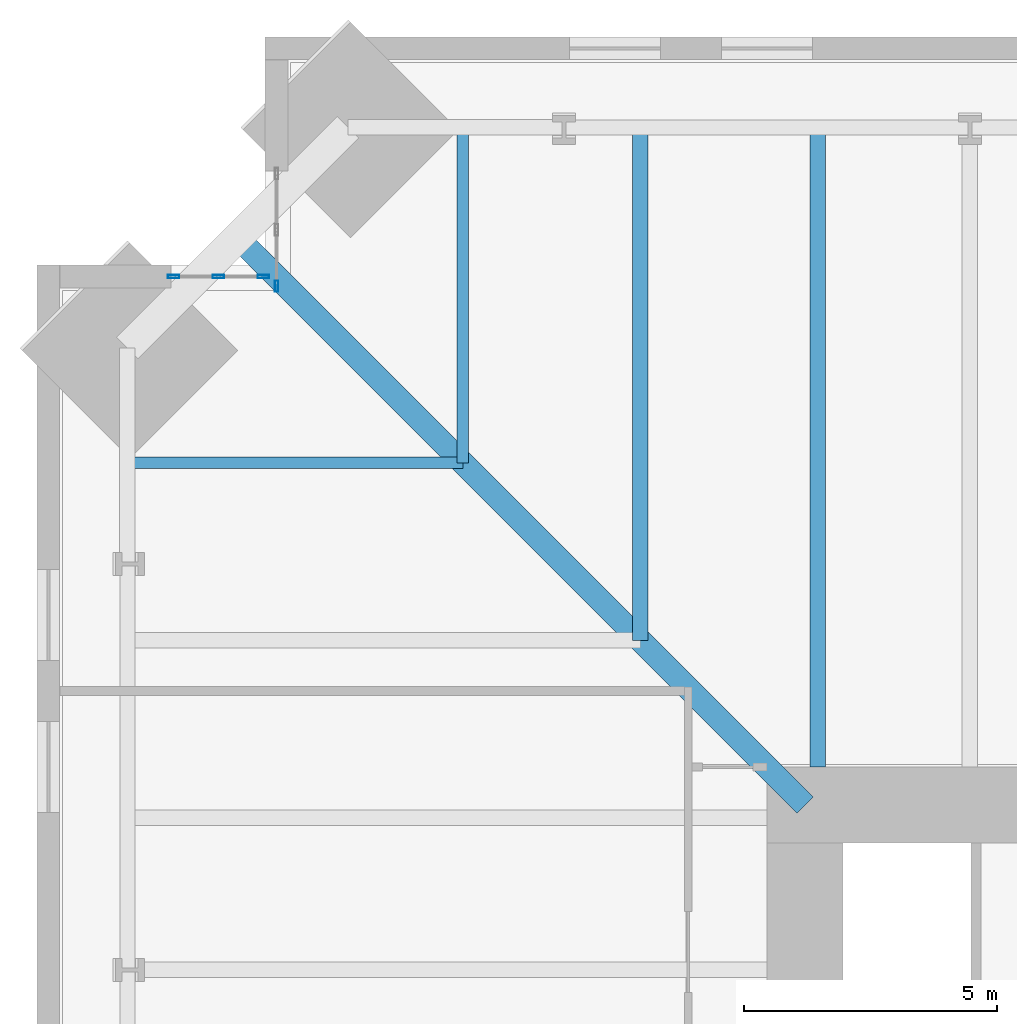
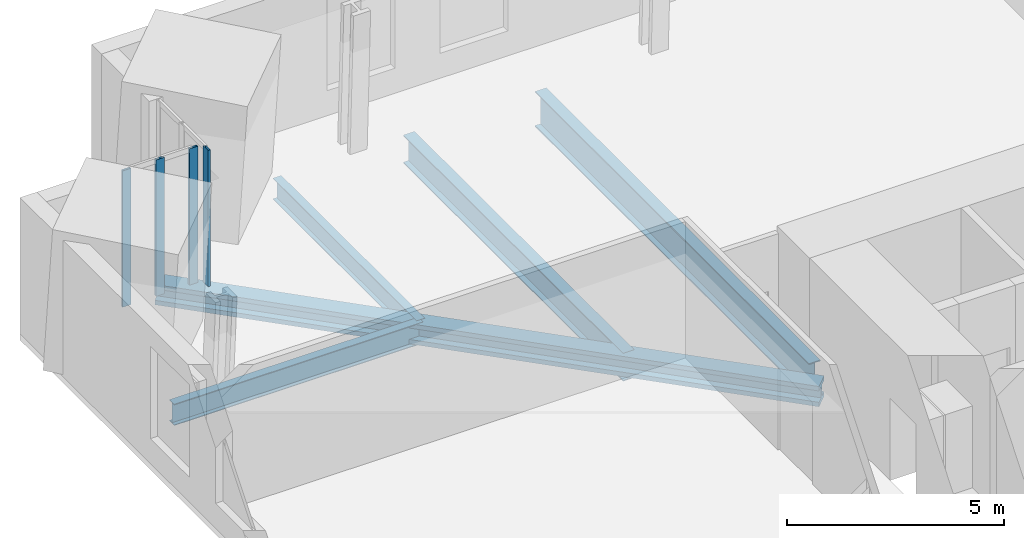
# One storey, part 6 of 18: 5 beams, 4 members, 2 elements without a shape of their own.
"""IFC4 building model written with IfcOpenShell, lengths in metres."""

from ifc_helpers import new_model, si_unit, direction, frame, origin, origin_2d, place, context, subcontext, project, spatial, hollow_rectangle, i_section, extrude, material, material_profile, profile_set, type_object, element, aggregate, save


model = new_model("IFC4")

# Units and contexts
model_context = context("Model", 3, precision=1e-05, world=origin(), true_north=direction((0.0, 1.0)))
body_context = subcontext(model_context, "Body", "Model", "MODEL_VIEW")
ifc_project = project(units=[si_unit("LENGTHUNIT", "METRE"), si_unit("AREAUNIT", "SQUARE_METRE"), si_unit("VOLUMEUNIT", "CUBIC_METRE"), si_unit("PLANEANGLEUNIT", "RADIAN"), si_unit("MASSUNIT", "GRAM", prefix="KILO")], contexts=[model_context])

# Site, building, storey
site_placement = place(None, origin())
site = spatial("IfcSite", under=ifc_project, at=site_placement, CompositionType="ELEMENT")
building_placement = place(site_placement, origin())
building = spatial("IfcBuilding", under=site, at=building_placement, Name="Peilmerk Tower", CompositionType="ELEMENT")
storey_placement = place(building_placement, frame((0.0, 0.0, 155.800048828125)))
storey = spatial("IfcBuildingStorey", under=building, at=storey_placement, Name="L32", CompositionType="ELEMENT", Elevation=155.800048828125)

# Beams
ifc_material_1 = material(Name="Steel S355", Category="steel")
ifc_material_profile_1 = material_profile(ifc_material_1, i_section(OverallWidth=0.219970703125, OverallDepth=0.60009765625, WebThickness=0.011962890625, FlangeThickness=0.01904296875, at=origin_2d()), Name="IPE 600")
ifc_profile_set_1 = profile_set([ifc_material_profile_1], Name="Steel S355")
beam_type_1 = type_object("IfcBeamType", Name="B10 IPE 600 floor beam", PredefinedType="BEAM", material=ifc_profile_set_1)
for number, where, z_axis, x_axis, name in (
    (1, (-18.0, 18.0, -0.469970703125), (0.0, 1.0, 0.0), (-1.0, 0.0, 0.0), "Floor beam L32"),
    (2, (-18.0, 18.0, -0.469970703125), (-1.0, 0.0, 0.0), (0.0, -1.0, 0.0), "Floor beam L32"),
):
    element("IfcBeam", number, at=place(storey_placement, frame(where, z_axis=z_axis, x_axis=x_axis)), inside=storey, type_object=beam_type_1, Name=name, PredefinedType="BEAM", context=body_context, shape_type="SweptSolid", body=[
        extrude(i_section(OverallWidth=0.219970703125, OverallDepth=0.60009765625, WebThickness=0.011962890625, FlangeThickness=0.01904296875, at=origin_2d()), origin(), (0.0, 0.0, 1.0), 6.614501953125),
    ])
ifc_material_profile_2 = material_profile(ifc_material_1, i_section(OverallWidth=0.300048828125, OverallDepth=0.989990234375, WebThickness=0.0166015625, FlangeThickness=0.031005859375, at=origin_2d()), Name="HEA 1000")
ifc_profile_set_2 = profile_set([ifc_material_profile_2], Name="Steel S355")
beam_type_2 = type_object("IfcBeamType", Name="B14 HEA 1000 floor girder", PredefinedType="BEAM", material=ifc_profile_set_2)
beam_1_placement = place(storey_placement, frame((-11.0, 12.0, -0.6650390625), z_axis=(0.0, 1.0, 0.0), x_axis=(-1.0, 0.0, 0.0)))
element("IfcBeam", 3, at=beam_1_placement, inside=storey, type_object=beam_type_2, Name="Floor beam L32", PredefinedType="BEAM", context=body_context, shape_type="SweptSolid", body=[
    extrude(i_section(OverallWidth=0.300048828125, OverallDepth=0.989990234375, WebThickness=0.0166015625, FlangeThickness=0.031005859375, at=origin_2d()), origin(), (0.0, 0.0, 1.0), 12.614501953125),
])
ifc_material_profile_3 = material_profile(ifc_material_1, i_section(OverallWidth=0.300048828125, OverallDepth=0.7900390625, WebThickness=0.014892578125, FlangeThickness=0.028076171875, at=origin_2d()), Name="HEA 800")
ifc_profile_set_3 = profile_set([ifc_material_profile_3], Name="Steel S355")
beam_type_3 = type_object("IfcBeamType", Name="B3 HEA 800 floor beam", PredefinedType="BEAM", material=ifc_profile_set_3)
beam_2_placement = place(storey_placement, frame((-14.5, 14.5, -0.56494140625), z_axis=(0.0, 1.0, 0.0), x_axis=(-1.0, 0.0, 0.0)))
element("IfcBeam", 4, at=beam_2_placement, inside=storey, type_object=beam_type_3, Name="Floor beam L32", PredefinedType="BEAM", context=body_context, shape_type="SweptSolid", body=[
    extrude(i_section(OverallWidth=0.300048828125, OverallDepth=0.7900390625, WebThickness=0.014892578125, FlangeThickness=0.028076171875, at=origin_2d()), origin(), (0.0, 0.0, 1.0), 10.114501953125),
])
ifc_material_2 = material(Name="Steel S460", Category="steel")
ifc_material_profile_4 = material_profile(ifc_material_2, i_section(OverallWidth=0.4541015625, OverallDepth=0.569091796875, WebThickness=0.077880859375, FlangeThickness=0.125, at=origin_2d()), Name="HD 400x1086")
ifc_profile_set_4 = profile_set([ifc_material_profile_4], Name="Steel S460")
beam_type_4 = type_object("IfcBeamType", Name="B9 HD 400x1086 corner girder", PredefinedType="BEAM", material=ifc_profile_set_4)
beam_3_placement = place(storey_placement, frame((-11.25, 11.25, -0.45458984375), z_axis=(-0.707106781187, 0.707106781187, 0.0), x_axis=(-0.707106781187, -0.707106781187, 0.0)))
element("IfcBeam", 5, at=beam_3_placement, inside=storey, type_object=beam_type_4, Name="Corner girder L32", PredefinedType="BEAM", context=body_context, shape_type="SweptSolid", body=[
    extrude(i_section(OverallWidth=0.4541015625, OverallDepth=0.569091796875, WebThickness=0.077880859375, FlangeThickness=0.125, at=origin_2d()), origin(), (0.0, 0.0, 1.0), 15.82421875),
])

# Curtain wall, member
ifc_material_3 = material(Name="Aluminium stick curtain wall", Category="aluminium")
curtain_wall_type = type_object("IfcCurtainWallType", Name="CW3 stick curtain wall, 2250 module", PredefinedType="NOTDEFINED", material=ifc_material_3)
curtain_wall_1_placement = place(storey_placement, origin())
curtain_wall_1 = element("IfcCurtainWall", 6, at=curtain_wall_1_placement, inside=storey, type_object=curtain_wall_type, Name="Curtain wall CW3 NWA L32", PredefinedType="NOTDEFINED")
ifc_material_4 = material(Name="Aluminium EN AW-6063 T6", Category="aluminium")
ifc_material_profile_5 = material_profile(ifc_material_4, hollow_rectangle(XDim=0.06494140625, YDim=0.22509765625, WallThickness=0.00390625, at=origin_2d()), Name="AL 225x65x4")
ifc_profile_set_5 = profile_set([ifc_material_profile_5], Name="Aluminium EN AW-6063 T6")
member_type = type_object("IfcMemberType", Name="CW3-M AL 225x65x4 mullion", PredefinedType="MULLION", material=ifc_profile_set_5)
member_1_placement = place(storey_placement, frame((-21.675048828125, 21.482421875, 0.0), z_axis=(0.0, 0.0, 1.0), x_axis=(-1.0, 0.0, 0.0)))
member_1 = element("IfcMember", 7, at=member_1_placement, type_object=member_type, Name="CW3 mullion 1", PredefinedType="MULLION", context=body_context, shape_type="SweptSolid", body=[
    extrude(hollow_rectangle(XDim=0.06494140625, YDim=0.22509765625, WallThickness=0.00390625, at=origin_2d()), origin(), (0.0, 0.0, 1.0), 3.829833984375),
])
aggregate(curtain_wall_1, [member_1])

# Curtain wall, members
curtain_wall_2_placement = place(storey_placement, origin())
curtain_wall_2 = element("IfcCurtainWall", 8, at=curtain_wall_2_placement, inside=storey, type_object=curtain_wall_type, Name="Curtain wall CW3 NWB L32", PredefinedType="NOTDEFINED")
member_2_placement = place(storey_placement, frame((-21.9326171875, 21.675048828125, 0.0), z_axis=(0.0, 0.0, 1.0), x_axis=(0.0, -1.0, 0.0)))
member_2 = element("IfcMember", 9, at=member_2_placement, type_object=member_type, Name="CW3 mullion 1", PredefinedType="MULLION", context=body_context, shape_type="SweptSolid", body=[
    extrude(hollow_rectangle(XDim=0.06494140625, YDim=0.22509765625, WallThickness=0.00390625, at=origin_2d()), origin(), (0.0, 0.0, 1.0), 3.829833984375),
])
member_3_placement = place(storey_placement, frame((-22.8193359375, 21.675048828125, 0.0), z_axis=(0.0, 0.0, 1.0), x_axis=(0.0, -1.0, 0.0)))
member_3 = element("IfcMember", 10, at=member_3_placement, type_object=member_type, Name="CW3 mullion 2", PredefinedType="MULLION", context=body_context, shape_type="SweptSolid", body=[
    extrude(hollow_rectangle(XDim=0.06494140625, YDim=0.22509765625, WallThickness=0.00390625, at=origin_2d()), origin(), (0.0, 0.0, 1.0), 3.829833984375),
])
member_4_placement = place(storey_placement, frame((-23.706298828125, 21.675048828125, 0.0), z_axis=(0.0, 0.0, 1.0), x_axis=(0.0, -1.0, 0.0)))
member_4 = element("IfcMember", 11, at=member_4_placement, type_object=member_type, Name="CW3 mullion 3", PredefinedType="MULLION", context=body_context, shape_type="SweptSolid", body=[
    extrude(hollow_rectangle(XDim=0.06494140625, YDim=0.22509765625, WallThickness=0.00390625, at=origin_2d()), origin(), (0.0, 0.0, 1.0), 3.829833984375),
])
aggregate(curtain_wall_2, [member_2, member_3, member_4])

save(model, "model.ifc")
